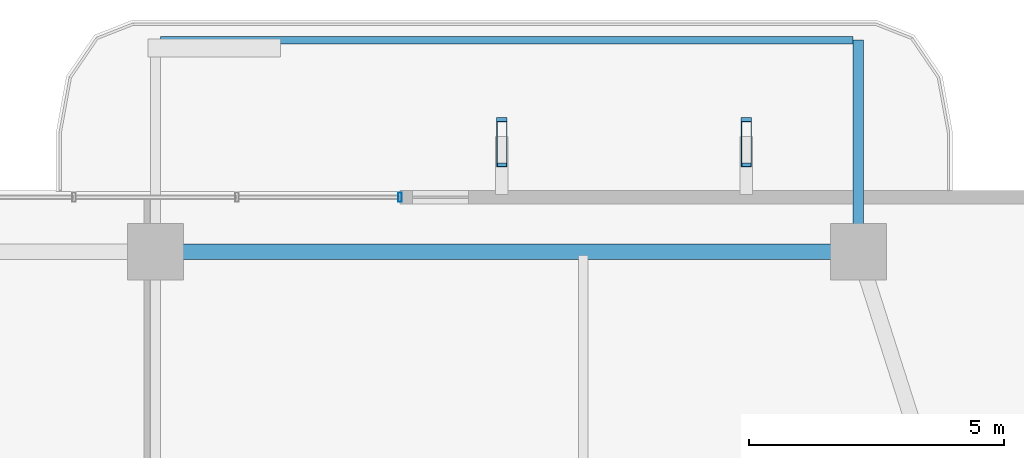
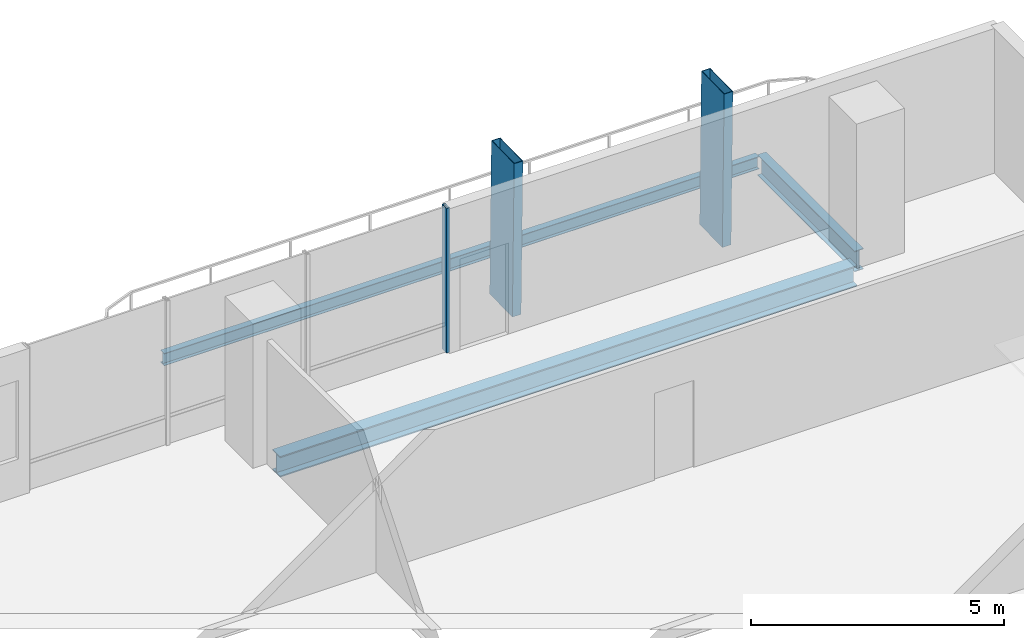
# One storey, part 17 of 25: 3 beams, 3 members, 1 element without a shape of its own.
"""IFC4 building model written with IfcOpenShell, lengths in metres."""

import ifcopenshell
import ifcopenshell.guid

model = None  # the IFC model being written
_history = None  # IfcOwnerHistory: only IFC2X3 demands one
_inside = {}  # id of a spatial element -> (the spatial element, [elements in it])
_under = {}  # id of a project, library or spatial element -> (it, [spatial elements below it])
_declared = {}  # id of a project -> (the project, [libraries it declares])
_typed = {}  # id of a type object -> (the type object, [elements of that type])
_made_of = {}  # id of a material, layer set ... -> (it, [elements and type objects made of it])


def new_model(schema):
    """Start an empty IFC model of exactly this schema.

    Asked for "IFC4X3", IfcOpenShell would pick the latest addendum, in which some entities
    have other attributes; the version numbers below select the first issue.
    IFC2X3 requires an IfcOwnerHistory on every rooted entity: one is made here for all.
    """
    global model, _history
    if schema == "IFC4X3":
        model = ifcopenshell.file(schema_version=(4, 3, 0, 0))
    else:
        model = ifcopenshell.file(schema=schema)
    _inside.clear()
    _under.clear()
    _declared.clear()
    _typed.clear()
    _made_of.clear()
    _history = None
    if model.schema == "IFC2X3":
        org = make("IfcOrganization", Name="unknown")
        user = make(
            "IfcPersonAndOrganization",
            ThePerson=make("IfcPerson", FamilyName="unknown"),
            TheOrganization=org,
        )
        app = make(
            "IfcApplication",
            ApplicationDeveloper=org,
            Version="unknown",
            ApplicationFullName="unknown",
            ApplicationIdentifier="unknown",
        )
        _history = make(
            "IfcOwnerHistory",
            OwningUser=user,
            OwningApplication=app,
            ChangeAction="ADDED",
            CreationDate=0,
        )
    return model


def make(cls, **values):
    """One entity of the class cls with the attributes given. An attribute that is None is left unset."""
    return model.create_entity(
        cls, **{name: value for name, value in values.items() if value is not None}
    )


def rooted(cls, **values):
    """An entity with a GlobalId (a new one), such as an element, a storey or a relation."""
    return make(cls, GlobalId=ifcopenshell.guid.new(), OwnerHistory=_history, **values)


def si_unit(unit_type, name, prefix=None):
    """IfcSIUnit, for example si_unit("LENGTHUNIT", "METRE", prefix="MILLI")."""
    return make("IfcSIUnit", UnitType=unit_type, Prefix=prefix, Name=name)


def assignment(units):
    """IfcUnitAssignment: the units of a project."""
    return None if units is None else make("IfcUnitAssignment", Units=units)


def point(xyz):
    """IfcCartesianPoint."""
    return None if xyz is None else make("IfcCartesianPoint", Coordinates=xyz)


def direction(xyz):
    """IfcDirection."""
    return None if xyz is None else make("IfcDirection", DirectionRatios=xyz)


def frame(location, z_axis=None, x_axis=None):
    """IfcAxis2Placement3D, a coordinate frame: its origin and axes. An axis left out is left unset."""
    return make(
        "IfcAxis2Placement3D",
        Location=point(location),
        Axis=direction(z_axis),
        RefDirection=direction(x_axis),
    )


def frame_2d(location, x_axis=None):
    """IfcAxis2Placement2D, a coordinate frame in the plane: its origin and x axis."""
    return make(
        "IfcAxis2Placement2D", Location=point(location), RefDirection=direction(x_axis)
    )


def origin():
    """The frame at (0, 0, 0) with its axes left unset."""
    return frame((0.0, 0.0, 0.0))


def origin_2d():
    """The frame at (0, 0) in the plane with its x axis left unset."""
    return frame_2d((0.0, 0.0))


def place(relative_to, where):
    """IfcLocalPlacement: puts the frame where relative to a parent placement (None: the world)."""
    return make(
        "IfcLocalPlacement", PlacementRelTo=relative_to, RelativePlacement=where
    )


def context(
    kind, dimensions, precision=None, world=None, true_north=None, identifier=None
):
    """IfcGeometricRepresentationContext, for example the 3D "Model" context."""
    return make(
        "IfcGeometricRepresentationContext",
        ContextIdentifier=identifier,
        ContextType=kind,
        CoordinateSpaceDimension=dimensions,
        Precision=precision,
        WorldCoordinateSystem=world,
        TrueNorth=true_north,
    )


def subcontext(parent, identifier, kind, view, scale=None):
    """IfcGeometricRepresentationSubContext, for example "Body" below "Model"."""
    return make(
        "IfcGeometricRepresentationSubContext",
        ContextIdentifier=identifier,
        ContextType=kind,
        ParentContext=parent,
        TargetScale=scale,
        TargetView=view,
    )


def project(units=None, contexts=None):
    """IfcProject with its units and contexts."""
    return rooted(
        "IfcProject",
        Name="project",
        RepresentationContexts=contexts,
        UnitsInContext=assignment(units),
    )


def spatial(cls, under=None, at=None, **own):
    """A site, building, storey or space (cls), placed at a placement, below another one or the project."""
    s = rooted(cls, ObjectPlacement=at, **own)
    if under is not None:
        _under.setdefault(under.id(), (under, []))[1].append(s)
    return s


def profile(cls, at=None, kind="AREA", **sizes):
    """A parametric profile (cls). Its sizes go by their IFC names, for example OverallWidth=200.0."""
    return make(cls, ProfileType=kind, Position=at, **sizes)


def hollow_rectangle(**sizes):
    """IfcRectangleHollowProfileDef."""
    return profile("IfcRectangleHollowProfileDef", **sizes)


def i_section(**sizes):
    """IfcIShapeProfileDef."""
    return profile("IfcIShapeProfileDef", **sizes)


def extrude(swept, where, along, depth):
    """IfcExtrudedAreaSolid: the profile swept, set in the frame where, extruded along a direction by depth."""
    return make(
        "IfcExtrudedAreaSolid",
        SweptArea=swept,
        Position=where,
        ExtrudedDirection=direction(along),
        Depth=depth,
    )


def shape(context_of_items, identifier, shape_type, items):
    """IfcShapeRepresentation: the items that make up one representation, for example the "Body"."""
    return make(
        "IfcShapeRepresentation",
        ContextOfItems=context_of_items,
        RepresentationIdentifier=identifier,
        RepresentationType=shape_type,
        Items=items,
    )


def material(Name=None, Category=None):
    """IfcMaterial."""
    return make("IfcMaterial", Name=Name, Category=Category)


def layer(
    of_material, thickness, ventilated=None, Name=None, Category=None, Priority=None
):
    """IfcMaterialLayer: one layer of a wall or slab, of a material (None: an air gap)."""
    return make(
        "IfcMaterialLayer",
        Material=of_material,
        LayerThickness=thickness,
        IsVentilated=ventilated,
        Name=Name,
        Category=Category,
        Priority=Priority,
    )


def layer_set(layers, Name=None):
    """IfcMaterialLayerSet."""
    return make("IfcMaterialLayerSet", MaterialLayers=layers, LayerSetName=Name)


def material_profile(
    of_material, cross_section, Name=None, Category=None, Priority=None
):
    """IfcMaterialProfile: a cross section and its material."""
    return make(
        "IfcMaterialProfile",
        Name=Name,
        Material=of_material,
        Profile=cross_section,
        Priority=Priority,
        Category=Category,
    )


def profile_set(profiles, Name=None, composite=None):
    """IfcMaterialProfileSet."""
    return make(
        "IfcMaterialProfileSet",
        Name=Name,
        MaterialProfiles=profiles,
        CompositeProfile=composite,
    )


def made_of(thing, what):
    """Note that an element or type object is made of a material, layer set ...; save() writes the relation."""
    if what is not None:
        _made_of.setdefault(what.id(), (what, []))[1].append(thing)
    return thing


def type_object(cls, material=None, **own):
    """A type object (cls), such as IfcWallType, which elements share."""
    return made_of(rooted(cls, **own), material)


def element(
    cls,
    number,
    at=None,
    inside=None,
    cuts=None,
    type_object=None,
    material=None,
    context=None,
    identifier="Body",
    shape_type=None,
    held_by="IfcProductDefinitionShape",
    body=None,
    shapes=None,
    **own,
):
    """One element of the class cls, such as IfcWall. Its Tag is "e" and its number.

    at: its placement. inside: the storey or other place that contains it. cuts: it is an
    opening in that element (IfcRelVoidsElement). A single representation is given by context,
    identifier, shape_type and body (its items); several are given by shapes. held_by: the class
    of the entity that holds the representations. save() writes the other relations.
    """
    e = rooted(cls, Tag="e%d" % number, ObjectPlacement=at, **own)
    if body is not None:
        shapes = [shape(context, identifier, shape_type, body)]
    if shapes is not None:
        e.Representation = make(held_by, Representations=shapes)
    if inside is not None:
        _inside.setdefault(inside.id(), (inside, []))[1].append(e)
    if cuts is not None:
        rooted(
            "IfcRelVoidsElement", RelatingBuildingElement=cuts, RelatedOpeningElement=e
        )
    if type_object is not None:
        _typed.setdefault(type_object.id(), (type_object, []))[1].append(e)
    return made_of(e, material)


def aggregate(whole, parts):
    """IfcRelAggregates: a whole, such as a stair, and the parts it consists of."""
    return rooted("IfcRelAggregates", RelatingObject=whole, RelatedObjects=parts)


def save(model, path):
    """Write the relations noted so far, then the file.

    IfcRelAggregates (storeys below a building ...), IfcRelContainedInSpatialStructure (elements
    in a storey), IfcRelDefinesByType, IfcRelAssociatesMaterial and IfcRelDeclares: one each for
    every whole, place, type object, material and project.
    """
    for whole, parts in _under.values():
        aggregate(whole, parts)
    for where, things in _inside.values():
        rooted(
            "IfcRelContainedInSpatialStructure",
            RelatedElements=things,
            RelatingStructure=where,
        )
    for kind, things in _typed.values():
        rooted("IfcRelDefinesByType", RelatedObjects=things, RelatingType=kind)
    for what, things in _made_of.values():
        rooted("IfcRelAssociatesMaterial", RelatedObjects=things, RelatingMaterial=what)
    for by, libraries in _declared.values():
        rooted("IfcRelDeclares", RelatingContext=by, RelatedDefinitions=libraries)
    model.write(path)


model = new_model("IFC4")

# Units and contexts
model_context = context("Model", 3, precision=1e-05, world=origin(), true_north=direction((0.0, 1.0)))
body_context = subcontext(model_context, "Body", "Model", "MODEL_VIEW")
ifc_project = project(units=[si_unit("LENGTHUNIT", "METRE"), si_unit("AREAUNIT", "SQUARE_METRE"), si_unit("VOLUMEUNIT", "CUBIC_METRE"), si_unit("PLANEANGLEUNIT", "RADIAN"), si_unit("MASSUNIT", "GRAM", prefix="KILO")], contexts=[model_context])

# Site, building, storey
site_placement = place(None, origin())
site = spatial("IfcSite", under=ifc_project, at=site_placement, CompositionType="ELEMENT")
building_placement = place(site_placement, origin())
building = spatial("IfcBuilding", under=site, at=building_placement, Name="Belovzor Exchange Tower", CompositionType="ELEMENT")
storey_placement = place(building_placement, frame((0.0, 0.0, 172.050048828125)))
storey = spatial("IfcBuildingStorey", under=building, at=storey_placement, Name="L42", CompositionType="ELEMENT", Elevation=172.050048828125)

# Beams
ifc_material_1 = material(Name="Steel S355", Category="steel")
ifc_material_profile_1 = material_profile(ifc_material_1, i_section(OverallWidth=0.199951171875, OverallDepth=0.5, WebThickness=0.01025390625, FlangeThickness=0.01611328125, at=origin_2d()))
ifc_profile_set_1 = profile_set([ifc_material_profile_1], Name="Steel S355")
beam_type_1 = type_object("IfcBeamType", Name="Planted Balcony Cantilever Beam IPE 500", PredefinedType="BEAM", material=ifc_profile_set_1)
beam_1_placement = place(storey_placement, frame((42.60009765625, 52.202880859375, -0.505126953125), z_axis=(0.0, 1.0, 0.0), x_axis=(-1.0, 0.0, 0.0)))
element("IfcBeam", 1, at=beam_1_placement, inside=storey, type_object=beam_type_1, Name="BC-500 Planted Balcony Cantilever Beam IPE 500", PredefinedType="BEAM", context=body_context, shape_type="SweptSolid", body=[
    extrude(i_section(OverallWidth=0.199951171875, OverallDepth=0.5, WebThickness=0.01025390625, FlangeThickness=0.01611328125, at=origin_2d()), origin(), (0.0, 0.0, 1.0), 3.85009765625),
])
ifc_material_2 = material(Name="Steel S355", Category="steel")
ifc_material_profile_2 = material_profile(ifc_material_2, i_section(OverallWidth=0.14990234375, OverallDepth=0.300048828125, WebThickness=0.007080078125, FlangeThickness=0.0107421875, at=origin_2d()))
ifc_profile_set_2 = profile_set([ifc_material_profile_2], Name="Steel S355")
beam_type_2 = type_object("IfcBeamType", Name="Planted Balcony Fascia Edge Beam IPE 300", PredefinedType="BEAM", material=ifc_profile_set_2)
beam_2_placement = place(storey_placement, frame((42.5, 56.052978515625, -0.405029296875), z_axis=(-1.0, 0.0, 0.0), x_axis=(0.0, -1.0, 0.0)))
element("IfcBeam", 2, at=beam_2_placement, inside=storey, type_object=beam_type_2, Name="BC-300 Planted Balcony Fascia Edge Beam IPE 300", PredefinedType="BEAM", context=body_context, shape_type="SweptSolid", body=[
    extrude(i_section(OverallWidth=0.14990234375, OverallDepth=0.300048828125, WebThickness=0.007080078125, FlangeThickness=0.0107421875, at=origin_2d()), origin(), (0.0, 0.0, 1.0), 13.60009765625),
])

# Members
ifc_material_3 = material(Name="Extruded Architectural Terracotta on Steel S355 Carrier", Category="masonry")
ifc_material_profile_3 = material_profile(ifc_material_3, hollow_rectangle(XDim=0.199951171875, YDim=0.89990234375, WallThickness=0.011962890625, at=origin_2d()))
ifc_profile_set_3 = profile_set([ifc_material_profile_3], Name="Extruded Architectural Terracotta on Steel S355 Carrier")
member_type_1 = type_object("IfcMemberType", Name="Sweeping Terracotta Baguette Fin Assembly 1250", PredefinedType="USERDEFINED", material=ifc_profile_set_3)
for number, where, z_axis, x_axis, name in (
    (3, (35.60009765625, 54.0810546875, -0.255126953125), (0.0, -0.018681635002, 0.999825483029), (1.0, 0.0, 0.0), "FIN-TC125 Terracotta Facade Fin L42 N3"),
    (4, (40.39990234375, 54.0810546875, -0.255126953125), (0.0, -0.018681635002, 0.999825483029), (1.0, 0.0, 0.0), "FIN-TC125 Terracotta Facade Fin L42 N4"),
):
    element("IfcMember", number, at=place(storey_placement, frame(where, z_axis=z_axis, x_axis=x_axis)), inside=storey, type_object=member_type_1, Name=name, ObjectType="FIN", PredefinedType="USERDEFINED", context=body_context, shape_type="SweptSolid", body=[
        extrude(hollow_rectangle(XDim=0.199951171875, YDim=0.89990234375, WallThickness=0.011962890625, at=origin_2d()), origin(), (0.0, 0.0, 1.0), 3.750732421875),
    ])

# Curtain wall, member
ifc_material_4 = material(Name="Anodised Aluminium Framing", Category="aluminium")
ifc_layer = layer(ifc_material_4, 0.179931640625)
ifc_layer_set = layer_set([ifc_layer], Name="Anodised Aluminium Framing")
curtain_wall_type = type_object("IfcCurtainWallType", Name="Recessed Loggia Low-Iron Triple-Glazed Curtain Wall", PredefinedType="NOTDEFINED", material=ifc_layer_set)
curtain_wall_placement = place(storey_placement, origin())
curtain_wall = element("IfcCurtainWall", 5, at=curtain_wall_placement, inside=storey, type_object=curtain_wall_type, Name="CW3 Recessed Loggia Low-Iron Triple-Glazed Curtain Wall L42", PredefinedType="NOTDEFINED")
ifc_material_5 = material(Name="Steel S355", Category="steel")
ifc_material_profile_4 = material_profile(ifc_material_5, hollow_rectangle(XDim=0.074951171875, YDim=0.179931640625, WallThickness=0.0048828125, at=origin_2d()))
ifc_profile_set_4 = profile_set([ifc_material_profile_4], Name="Steel S355")
member_type_2 = type_object("IfcMemberType", Name="Thermally Broken Curtain Wall Mullion 180x75", PredefinedType="MULLION", material=ifc_profile_set_4)
member_placement = place(storey_placement, frame((33.60009765625, 52.969970703125, 0.0), z_axis=(0.0, 0.0, 1.0), x_axis=(1.0, 0.0, 0.0)))
member = element("IfcMember", 6, at=member_placement, type_object=member_type_2, Name="CW-M180 Curtain Wall Mullion 4", PredefinedType="MULLION", context=body_context, shape_type="SweptSolid", body=[
    extrude(hollow_rectangle(XDim=0.074951171875, YDim=0.179931640625, WallThickness=0.0048828125, at=origin_2d()), origin(), (0.0, 0.0, 1.0), 3.494873046875),
])
aggregate(curtain_wall, [member])

# Beam
ifc_material_6 = material(Name="Steel S355", Category="steel")
ifc_material_profile_5 = material_profile(ifc_material_6, i_section(OverallWidth=0.300048828125, OverallDepth=0.5, WebThickness=0.014404296875, FlangeThickness=0.028076171875, at=origin_2d()))
ifc_profile_set_5 = profile_set([ifc_material_profile_5], Name="Steel S355")
beam_type_3 = type_object("IfcBeamType", Name="Zone 3 Waist Primary Girder HEB 500", PredefinedType="BEAM", material=ifc_profile_set_5)
beam_3_placement = place(storey_placement, frame((42.297119140625, 51.89990234375, -0.505126953125), z_axis=(-1.0, 0.0, 0.0), x_axis=(0.0, -1.0, 0.0)))
element("IfcBeam", 7, at=beam_3_placement, inside=storey, type_object=beam_type_3, Name="FG-Z3 Zone 3 Waist Primary Girder HEB 500", PredefinedType="BEAM", context=body_context, shape_type="SweptSolid", body=[
    extrude(i_section(OverallWidth=0.300048828125, OverallDepth=0.5, WebThickness=0.014404296875, FlangeThickness=0.028076171875, at=origin_2d()), origin(), (0.0, 0.0, 1.0), 13.195068359375),
])

save(model, "model.ifc")
